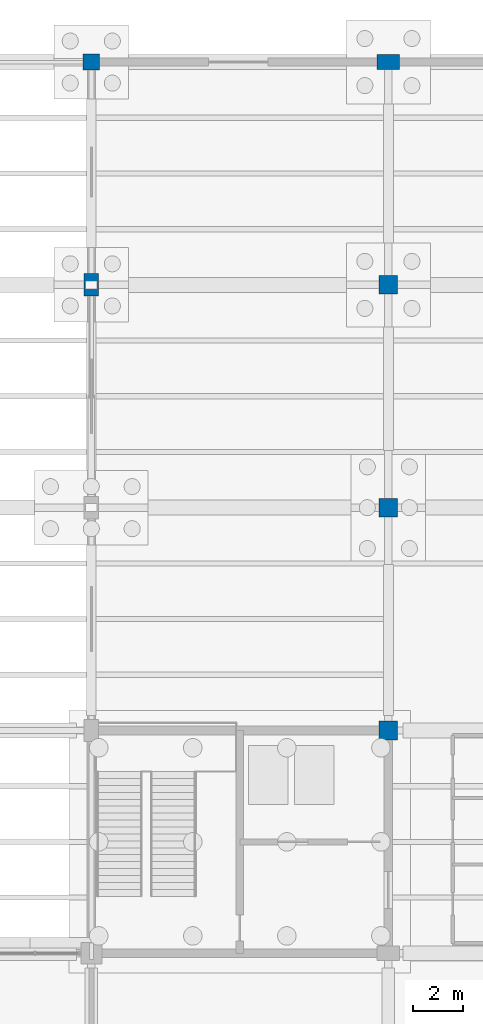
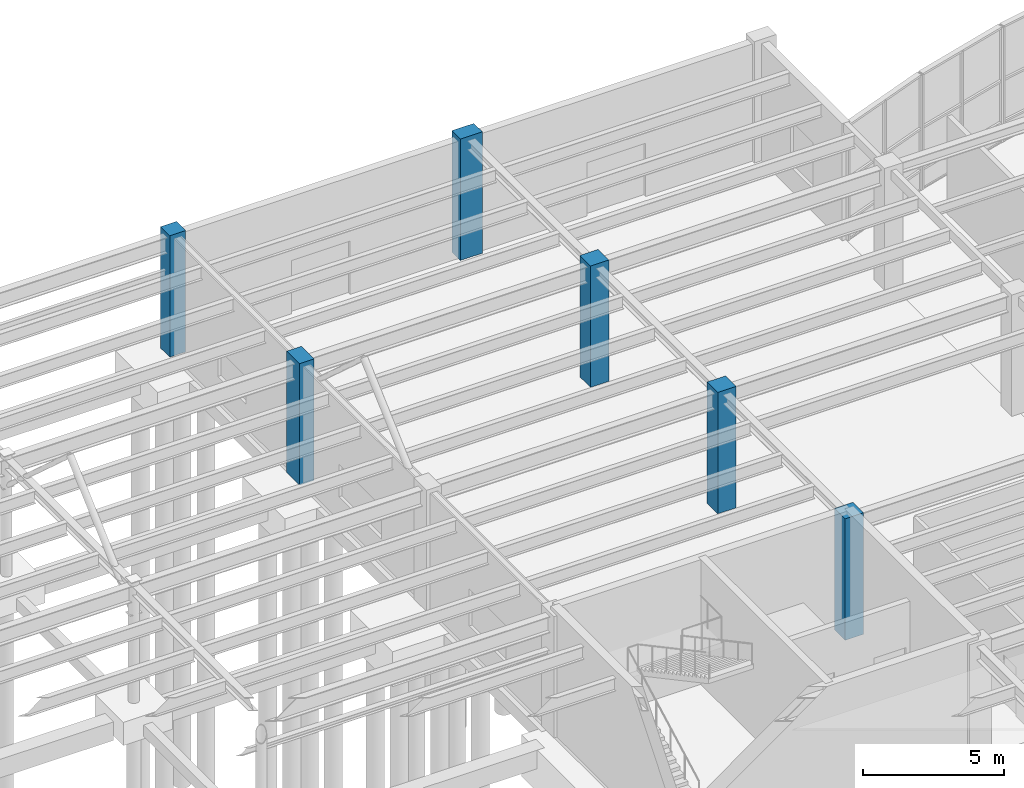
# One storey, part 19 of 85: 6 columns.
"""IFC4 building model written with IfcOpenShell, lengths in metres."""

from ifc_helpers import new_model, si_unit, direction, frame, origin, origin_2d, place, context, subcontext, project, spatial, rectangle, extrude, material, material_profile, profile_set, type_object, element, save


model = new_model("IFC4")

# Units and contexts
model_context = context("Model", 3, precision=1e-05, world=origin(), true_north=direction((0.0, 1.0)))
body_context = subcontext(model_context, "Body", "Model", "MODEL_VIEW")
ifc_project = project(units=[si_unit("LENGTHUNIT", "METRE"), si_unit("AREAUNIT", "SQUARE_METRE"), si_unit("VOLUMEUNIT", "CUBIC_METRE"), si_unit("PLANEANGLEUNIT", "RADIAN"), si_unit("MASSUNIT", "GRAM", prefix="KILO")], contexts=[model_context])

# Site, building, storey
site_placement = place(None, origin())
site = spatial("IfcSite", under=ifc_project, at=site_placement, CompositionType="ELEMENT")
building_placement = place(site_placement, origin())
building = spatial("IfcBuilding", under=site, at=building_placement, Name="Keelwater Ferry Terminal", CompositionType="ELEMENT")
storey_placement = place(building_placement, origin())
storey = spatial("IfcBuildingStorey", under=building, at=storey_placement, Name="L00", CompositionType="ELEMENT", Elevation=0.0)

# Columns
ifc_material_1 = material(Name="Concrete C45/55", Category="concrete")
ifc_material_profile_1 = material_profile(ifc_material_1, rectangle(XDim=0.75, YDim=0.75, at=origin_2d()), Name="RC 750x750")
ifc_profile_set_1 = profile_set([ifc_material_profile_1], Name="Concrete C45/55")
column_type_1 = type_object("IfcColumnType", Name="C2 RC 750x750", PredefinedType="COLUMN", material=ifc_profile_set_1)
for number, where, z_axis, x_axis, name in (
    (1, (120.0, 99.0, 0.0), (0.0, 0.0, 1.0), (1.0, 0.0, 0.0), "Column CL-L00-0209"),
    (2, (120.0, 108.0, 0.0), (0.0, 0.0, 1.0), (1.0, 0.0, 0.0), "Column CL-L00-0215"),
    (3, (120.0, 117.0, 0.0), (0.0, 0.0, 1.0), (1.0, 0.0, 0.0), "Column CL-L00-0221"),
):
    element("IfcColumn", number, at=place(storey_placement, frame(where, z_axis=z_axis, x_axis=x_axis)), inside=storey, type_object=column_type_1, Name=name, PredefinedType="COLUMN", context=body_context, shape_type="SweptSolid", body=[
        extrude(rectangle(XDim=0.75, YDim=0.75, at=origin_2d()), origin(), (0.0, 0.0, 1.0), 5.239990234375),
    ])
ifc_material_2 = material(Name="Concrete C45/55", Category="concrete")
ifc_material_profile_2 = material_profile(ifc_material_2, rectangle(XDim=0.64990234375, YDim=0.64990234375, at=origin_2d()), Name="RC 650x650")
ifc_profile_set_2 = profile_set([ifc_material_profile_2], Name="Concrete C45/55")
column_type_2 = type_object("IfcColumnType", Name="C3E RC 650x650", PredefinedType="COLUMN", material=ifc_profile_set_2)
column_placement = place(storey_placement, frame((108.0, 126.0, 0.0), z_axis=(0.0, 0.0, 1.0), x_axis=(1.0, 0.0, 0.0)))
element("IfcColumn", 4, at=column_placement, inside=storey, type_object=column_type_2, Name="Column CL-L00-0193", PredefinedType="COLUMN", context=body_context, shape_type="SweptSolid", body=[
    extrude(rectangle(XDim=0.64990234375, YDim=0.64990234375, at=origin_2d()), origin(), (0.0, 0.0, 1.0), 5.239990234375),
])
ifc_material_3 = material(Name="Concrete C45/55", Category="concrete")
ifc_material_profile_3 = material_profile(ifc_material_3, rectangle(XDim=0.60009765625, YDim=0.89990234375, at=origin_2d()), Name="RC 900x600")
ifc_profile_set_3 = profile_set([ifc_material_profile_3], Name="Concrete C45/55")
column_type_3 = type_object("IfcColumnType", Name="PL1E RC 900x600", PredefinedType="PILASTER", material=ifc_profile_set_3)
for number, where, z_axis, x_axis, name in (
    (5, (108.0, 117.0, 0.0), (0.0, 0.0, 1.0), (1.0, 0.0, 0.0), "Column CL-L00-0189"),
    (6, (120.0, 126.0, 0.0), (0.0, 0.0, 1.0), (0.0, 1.0, 0.0), "Column CL-L00-0226"),
):
    element("IfcColumn", number, at=place(storey_placement, frame(where, z_axis=z_axis, x_axis=x_axis)), inside=storey, type_object=column_type_3, Name=name, PredefinedType="PILASTER", context=body_context, shape_type="SweptSolid", body=[
        extrude(rectangle(XDim=0.60009765625, YDim=0.89990234375, at=origin_2d()), origin(), (0.0, 0.0, 1.0), 5.239990234375),
    ])

save(model, "model.ifc")
